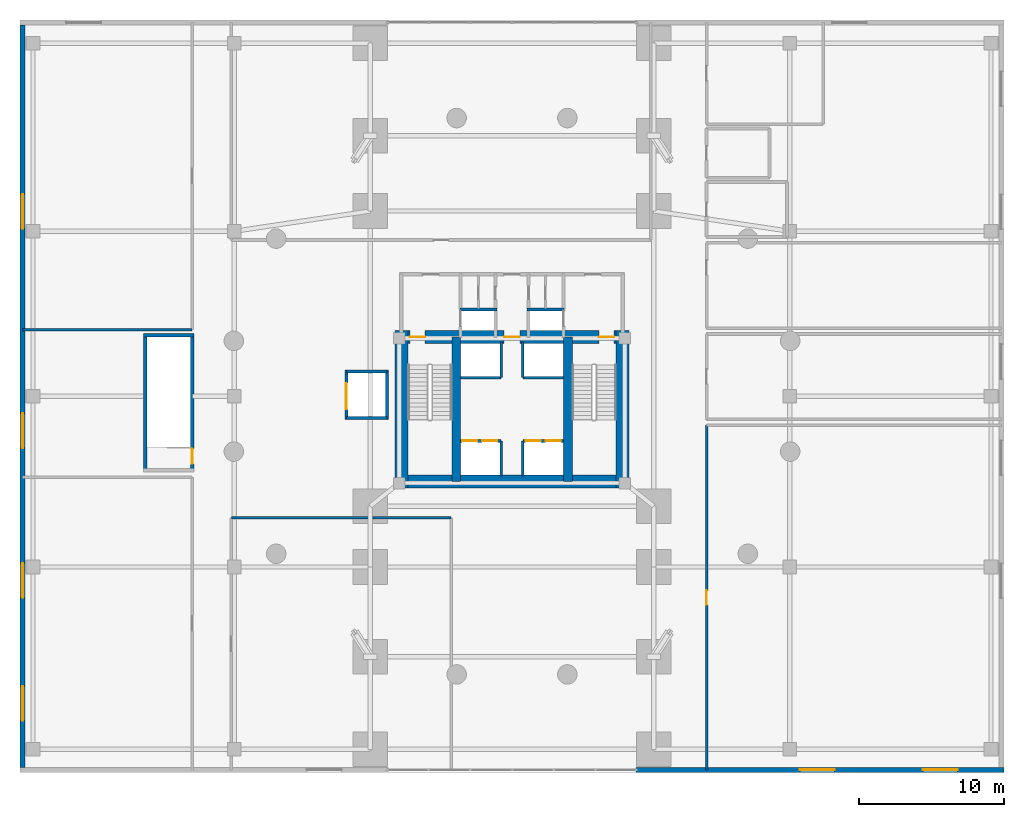
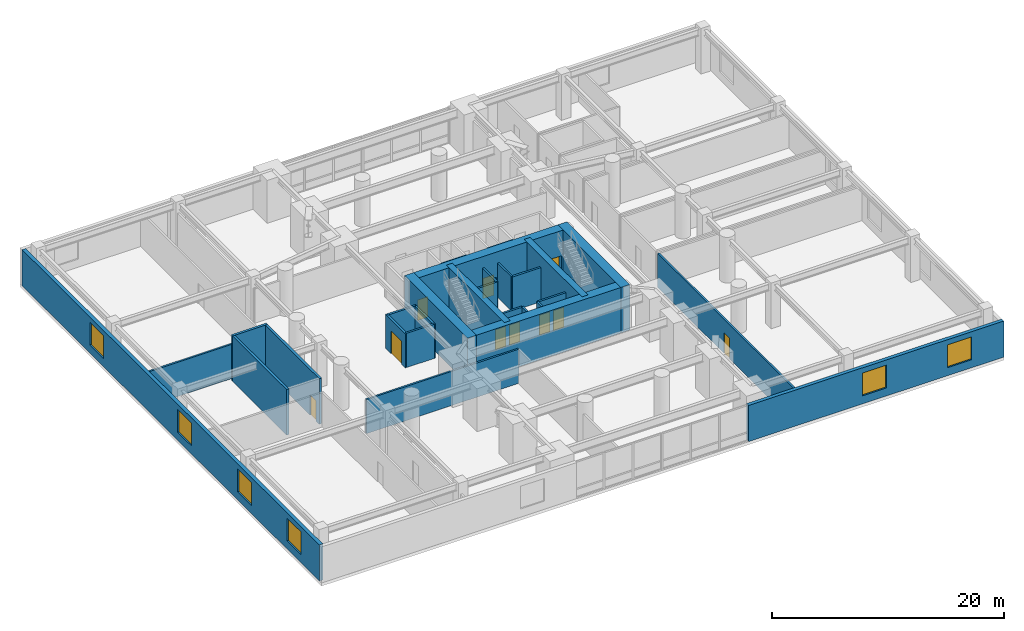
# One storey, part 14 of 17: 28 walls, 10 doors, 6 windows, 16 openings.
"""IFC4 building model written with IfcOpenShell, lengths in metres."""

from ifc_helpers import new_model, si_unit, direction, frame, frame_2d, origin, place, context, subcontext, project, spatial, rectangle, extrude, material, layer, layer_set, type_object, element, fill, save


model = new_model("IFC4")

# Units and contexts
model_context = context("Model", 3, precision=1e-05, world=origin(), true_north=direction((0.0, 1.0)))
body_context = subcontext(model_context, "Body", "Model", "MODEL_VIEW")
ifc_project = project(units=[si_unit("LENGTHUNIT", "METRE"), si_unit("AREAUNIT", "SQUARE_METRE"), si_unit("VOLUMEUNIT", "CUBIC_METRE"), si_unit("PLANEANGLEUNIT", "RADIAN"), si_unit("MASSUNIT", "GRAM", prefix="KILO"), si_unit("THERMODYNAMICTEMPERATUREUNIT", "KELVIN"), si_unit("POWERUNIT", "WATT")], contexts=[model_context])

# Site, building, storey
site_placement = place(None, origin())
site = spatial("IfcSite", under=ifc_project, at=site_placement, CompositionType="ELEMENT")
building_placement = place(site_placement, origin())
building = spatial("IfcBuilding", under=site, at=building_placement, Name="Ocrelia Relay Tower", CompositionType="ELEMENT")
storey_placement = place(building_placement, frame((0.0, 0.0, 25.199951171875)))
storey = spatial("IfcBuildingStorey", under=building, at=storey_placement, Name="L05", CompositionType="ELEMENT", Elevation=25.199951171875)

# Wall
ifc_material_1 = material(Name="Concrete C70/85", Category="concrete")
ifc_layer_1 = layer(ifc_material_1, 0.89990234375, Name="Concrete C70/85")
ifc_layer_set_1 = layer_set([ifc_layer_1], Name="Concrete C70/85")
wall_type_1 = type_object("IfcWallType", Name="CW-CORE-900", PredefinedType="SHEAR", material=ifc_layer_set_1)
wall_1_placement = place(storey_placement, frame((25.922119140625, 20.112060546875, 0.0), z_axis=(0.0, 0.0, 1.0), x_axis=(1.0, 0.0, 0.0)))
element("IfcWall", 1, at=wall_1_placement, inside=storey, type_object=wall_type_1, Name="L05 Core Shear Wall S", PredefinedType="SHEAR", context=body_context, shape_type="SweptSolid", body=[
    extrude(rectangle(XDim=16.165771484375, YDim=0.89990234375, at=frame_2d((8.0830078125, 0.0))), origin(), (0.0, 0.0, 1.0), 4.800048828125),
])

# Wall, openings, doors
wall_2_placement = place(storey_placement, frame((25.922119140625, 30.087890625, 0.0), z_axis=(0.0, 0.0, 1.0), x_axis=(1.0, 0.0, 0.0)))
wall_2 = element("IfcWall", 2, at=wall_2_placement, inside=storey, type_object=wall_type_1, Name="L05 Core Shear Wall N", PredefinedType="SHEAR", context=body_context, shape_type="SweptSolid", body=[
    extrude(rectangle(XDim=16.165771484375, YDim=0.89990234375, at=frame_2d((8.0830078125, 0.0))), origin(), (0.0, 0.0, 1.0), 4.800048828125),
])
opening_1_placement = place(wall_2_placement, frame((1.028076171875, 0.0, 0.0)))
opening_1 = element("IfcOpeningElement", 3, at=opening_1_placement, cuts=wall_2, Name="Opening D-FD90", PredefinedType="OPENING", context=body_context, shape_type="SweptSolid", body=[
    extrude(rectangle(XDim=1.050048828125, YDim=2.14990234375, at=frame_2d((0.52490234375, 1.074951171875))), frame((0.0, 0.4599609375, 0.0), z_axis=(0.0, -1.0, 0.0), x_axis=(1.0, 0.0, 0.0)), (0.0, 0.0, 1.0), 0.919921875),
])
opening_2_placement = place(wall_2_placement, frame((14.077880859375, 0.0, 0.0)))
opening_2 = element("IfcOpeningElement", 4, at=opening_2_placement, cuts=wall_2, Name="Opening D-FD90", PredefinedType="OPENING", context=body_context, shape_type="SweptSolid", body=[
    extrude(rectangle(XDim=1.050048828125, YDim=2.14990234375, at=frame_2d((0.52490234375, 1.074951171875))), frame((0.0, 0.4599609375, 0.0), z_axis=(0.0, -1.0, 0.0), x_axis=(1.0, 0.0, 0.0)), (0.0, 0.0, 1.0), 0.919921875),
])
opening_3_placement = place(wall_2_placement, frame((7.528076171875, 0.0, 0.0)))
opening_3 = element("IfcOpeningElement", 5, at=opening_3_placement, cuts=wall_2, Name="Opening D-FD60", PredefinedType="OPENING", context=body_context, shape_type="SweptSolid", body=[
    extrude(rectangle(XDim=1.10009765625, YDim=2.14990234375, at=frame_2d((0.550048828125, 1.074951171875))), frame((0.0, 0.4599609375, 0.0), z_axis=(0.0, -1.0, 0.0), x_axis=(1.0, 0.0, 0.0)), (0.0, 0.0, 1.0), 0.919921875),
])
ifc_material_2 = material(Name="Timber-core 60-min acoustic fire door", Category="wood")
door_type_1 = type_object("IfcDoorType", Name="DR-LOBBY-FD60-1100", OperationType="NOTDEFINED", PredefinedType="DOOR", material=ifc_material_2)
door_1_placement = place(opening_3_placement, origin())
door_1 = element("IfcDoor", 6, at=door_1_placement, inside=storey, type_object=door_type_1, Name="L05 Core Lift Lobby North Fire Door", OperationType="SINGLE_SWING_LEFT", OverallHeight=2.14990234375, OverallWidth=1.10009765625, PredefinedType="DOOR", context=body_context, shape_type="SweptSolid", body=[
    extrude(rectangle(XDim=1.10009765625, YDim=2.14990234375, at=frame_2d((0.550048828125, 1.074951171875))), frame((0.0, 0.02490234375, 0.0), z_axis=(0.0, -1.0, 0.0), x_axis=(1.0, 0.0, 0.0)), (0.0, 0.0, 1.0), 0.050048828125),
])
fill(opening_3, door_1)
ifc_material_3 = material(Name="Steel S355 90-min fire door", Category="steel")
door_type_2 = type_object("IfcDoorType", Name="DR-STAIR-FD90-1050", OperationType="NOTDEFINED", PredefinedType="DOOR", material=ifc_material_3)
door_2_placement = place(opening_1_placement, origin())
door_2 = element("IfcDoor", 7, at=door_2_placement, inside=storey, type_object=door_type_2, Name="L05 Stair ST1 Fire Door", OperationType="SINGLE_SWING_LEFT", OverallHeight=2.14990234375, OverallWidth=1.050048828125, PredefinedType="DOOR", context=body_context, shape_type="SweptSolid", body=[
    extrude(rectangle(XDim=1.050048828125, YDim=2.14990234375, at=frame_2d((0.52490234375, 1.074951171875))), frame((0.0, 0.02490234375, 0.0), z_axis=(0.0, -1.0, 0.0), x_axis=(1.0, 0.0, 0.0)), (0.0, 0.0, 1.0), 0.050048828125),
])
fill(opening_1, door_2)
door_3_placement = place(opening_2_placement, origin())
door_3 = element("IfcDoor", 8, at=door_3_placement, inside=storey, type_object=door_type_2, Name="L05 Stair ST2 Fire Door", OperationType="SINGLE_SWING_RIGHT", OverallHeight=2.14990234375, OverallWidth=1.050048828125, PredefinedType="DOOR", context=body_context, shape_type="SweptSolid", body=[
    extrude(rectangle(XDim=1.050048828125, YDim=2.14990234375, at=frame_2d((0.52490234375, 1.074951171875))), frame((0.0, 0.02490234375, 0.0), z_axis=(0.0, -1.0, 0.0), x_axis=(1.0, 0.0, 0.0)), (0.0, 0.0, 1.0), 0.050048828125),
])
fill(opening_2, door_3)

# Walls
for number, where, z_axis, x_axis, name in (
    (9, (26.3720703125, 19.662109375, 0.0), (0.0, 0.0, 1.0), (0.0, 1.0, 0.0), "L05 Core Shear Wall W"),
    (10, (41.637939453125, 19.662109375, 0.0), (0.0, 0.0, 1.0), (0.0, 1.0, 0.0), "L05 Core Shear Wall E"),
):
    element("IfcWall", number, at=place(storey_placement, frame(where, z_axis=z_axis, x_axis=x_axis)), inside=storey, type_object=wall_type_1, Name=name, PredefinedType="SHEAR", context=body_context, shape_type="SweptSolid", body=[
        extrude(rectangle(XDim=10.8759765625, YDim=0.89990234375, at=frame_2d((5.43798828125, 0.0))), origin(), (0.0, 0.0, 1.0), 4.800048828125),
    ])
for number, where, z_axis, x_axis, name in (
    (11, (30.137939453125, 20.112060546875, 0.0), (0.0, 0.0, 1.0), (0.0, 1.0, 0.0), "L05 Core Shear Wall SPW"),
    (12, (37.8720703125, 20.112060546875, 0.0), (0.0, 0.0, 1.0), (0.0, 1.0, 0.0), "L05 Core Shear Wall SPE"),
):
    element("IfcWall", number, at=place(storey_placement, frame(where, z_axis=z_axis, x_axis=x_axis)), inside=storey, type_object=wall_type_1, Name=name, PredefinedType="SHEAR", context=body_context, shape_type="SweptSolid", body=[
        extrude(rectangle(XDim=9.975830078125, YDim=0.60009765625, at=frame_2d((4.98779296875, 0.0))), origin(), (0.0, 0.0, 1.0), 4.800048828125),
    ])
ifc_material_4 = material(Name="Concrete C50/60", Category="concrete")
ifc_layer_2 = layer(ifc_material_4, 0.239990234375, Name="Concrete C50/60")
ifc_layer_set_2 = layer_set([ifc_layer_2], Name="Concrete C50/60")
wall_type_2 = type_object("IfcWallType", Name="CW-STAIR-240", PredefinedType="SHEAR", material=ifc_layer_set_2)
wall_3_placement = place(storey_placement, frame((8.531982421875, 30.2080078125, 0.0), z_axis=(0.0, 0.0, 1.0), x_axis=(1.0, 0.0, 0.0)))
element("IfcWall", 13, at=wall_3_placement, inside=storey, type_object=wall_type_2, Name="L05 Stair ST3 Structural Shaft N Wall", PredefinedType="SHEAR", context=body_context, shape_type="SweptSolid", body=[
    extrude(rectangle(XDim=3.49609375, YDim=0.239990234375, at=frame_2d((1.748046875, 0.0))), origin(), (0.0, 0.0, 1.0), 4.800048828125),
])
wall_4_placement = place(storey_placement, frame((8.652099609375, 20.77197265625, 0.0), z_axis=(0.0, 0.0, 1.0), x_axis=(0.0, 1.0, 0.0)))
element("IfcWall", 14, at=wall_4_placement, inside=storey, type_object=wall_type_2, Name="L05 Stair ST3 Structural Shaft W Wall", PredefinedType="SHEAR", context=body_context, shape_type="SweptSolid", body=[
    extrude(rectangle(XDim=9.555908203125, YDim=0.239990234375, at=frame_2d((4.77783203125, 0.0))), origin(), (0.0, 0.0, 1.0), 4.800048828125),
])

# Wall, opening, door
wall_5_placement = place(storey_placement, frame((11.907958984375, 20.77197265625, 0.0), z_axis=(0.0, 0.0, 1.0), x_axis=(0.0, 1.0, 0.0)))
wall_5 = element("IfcWall", 15, at=wall_5_placement, inside=storey, type_object=wall_type_2, Name="L05 Stair ST3 Structural Shaft E Wall", PredefinedType="SHEAR", context=body_context, shape_type="SweptSolid", body=[
    extrude(rectangle(XDim=9.555908203125, YDim=0.239990234375, at=frame_2d((4.77783203125, 0.0))), origin(), (0.0, 0.0, 1.0), 4.800048828125),
])
opening_4_placement = place(wall_5_placement, frame((0.550048828125, 0.0, 0.0)))
opening_4 = element("IfcOpeningElement", 16, at=opening_4_placement, cuts=wall_5, Name="Opening D-FD90", PredefinedType="OPENING", context=body_context, shape_type="SweptSolid", body=[
    extrude(rectangle(XDim=1.050048828125, YDim=2.14990234375, at=frame_2d((0.52490234375, 1.074951171875))), frame((0.0, 0.1298828125, 0.0), z_axis=(0.0, -1.0, 0.0), x_axis=(1.0, 0.0, 0.0)), (0.0, 0.0, 1.0), 0.260009765625),
])
door_4_placement = place(opening_4_placement, origin())
door_4 = element("IfcDoor", 17, at=door_4_placement, inside=storey, type_object=door_type_2, Name="L05 Stair ST3 Fire Door", OperationType="SINGLE_SWING_LEFT", OverallHeight=2.14990234375, OverallWidth=1.050048828125, PredefinedType="DOOR", context=body_context, shape_type="SweptSolid", body=[
    extrude(rectangle(XDim=1.050048828125, YDim=2.14990234375, at=frame_2d((0.52490234375, 1.074951171875))), frame((0.0, 0.02490234375, 0.0), z_axis=(0.0, -1.0, 0.0), x_axis=(1.0, 0.0, 0.0)), (0.0, 0.0, 1.0), 0.050048828125),
])
fill(opening_4, door_4)

# Walls
ifc_material_5 = material(Name="Gypsum Fireboard Partition EI60", Category="gypsum")
ifc_layer_3 = layer(ifc_material_5, 0.179931640625, Name="Gypsum Fireboard Partition EI60")
ifc_layer_set_3 = layer_set([ifc_layer_3], Name="Gypsum Fireboard Partition EI60")
wall_type_3 = type_object("IfcWallType", Name="W-CORR-EI60-180", PredefinedType="PARTITIONING", material=ifc_layer_set_3)
wall_6_placement = place(storey_placement, frame((0.179931640625, 30.60009765625, 0.0), z_axis=(0.0, 0.0, 1.0), x_axis=(1.0, 0.0, 0.0)))
element("IfcWall", 18, at=wall_6_placement, inside=storey, type_object=wall_type_3, Name="L05 Customer Commissioning Laboratory S Partition", PredefinedType="PARTITIONING", context=body_context, shape_type="SweptSolid", body=[
    extrude(rectangle(XDim=11.719970703125, YDim=0.179931640625, at=frame_2d((5.85986328125, 0.0))), origin(), (0.0, 0.0, 1.0), 3.60009765625),
])
wall_7_placement = place(storey_placement, frame((29.800048828125, 17.60009765625, 0.0), z_axis=(0.0, 0.0, 1.0), x_axis=(-1.0, 0.0, 0.0)))
element("IfcWall", 19, at=wall_7_placement, inside=storey, type_object=wall_type_3, Name="L05 Client Handover Conference Room N Partition", PredefinedType="PARTITIONING", context=body_context, shape_type="SweptSolid", body=[
    extrude(rectangle(XDim=15.199951171875, YDim=0.179931640625, at=frame_2d((7.60009765625, 0.0))), origin(), (0.0, 0.0, 1.0), 3.60009765625),
])

# Wall, opening, door
wall_8_placement = place(storey_placement, frame((47.449951171875, 24.0, 0.0), z_axis=(0.0, 0.0, 1.0), x_axis=(0.0, -1.0, 0.0)))
wall_8 = element("IfcWall", 20, at=wall_8_placement, inside=storey, type_object=wall_type_3, Name="L05 Colocation Operations Support Office W Partition", PredefinedType="PARTITIONING", context=body_context, shape_type="SweptSolid", body=[
    extrude(rectangle(XDim=23.820068359375, YDim=0.179931640625, at=frame_2d((11.91015625, 0.0))), origin(), (0.0, 0.0, 1.0), 3.60009765625),
])
opening_5_placement = place(wall_8_placement, frame((11.409912109375, 0.0, 0.0)))
opening_5 = element("IfcOpeningElement", 21, at=opening_5_placement, cuts=wall_8, Name="Opening D-RM100", PredefinedType="OPENING", context=body_context, shape_type="SweptSolid", body=[
    extrude(rectangle(XDim=1.0, YDim=2.14990234375, at=frame_2d((0.5, 1.074951171875))), frame((0.0, 0.10009765625, 0.0), z_axis=(0.0, -1.0, 0.0), x_axis=(1.0, 0.0, 0.0)), (0.0, 0.0, 1.0), 0.199951171875),
])
ifc_material_6 = material(Name="Acoustic oak veneer fire door", Category="wood")
door_type_3 = type_object("IfcDoorType", Name="DR-ROOM-FD60-1000", OperationType="NOTDEFINED", PredefinedType="DOOR", material=ifc_material_6)
door_5_placement = place(opening_5_placement, origin())
door_5 = element("IfcDoor", 22, at=door_5_placement, inside=storey, type_object=door_type_3, Name="L05 Colocation Operations Support Office Door", OperationType="SINGLE_SWING_RIGHT", OverallHeight=2.14990234375, OverallWidth=1.0, PredefinedType="DOOR", context=body_context, shape_type="SweptSolid", body=[
    extrude(rectangle(XDim=1.0, YDim=2.14990234375, at=frame_2d((0.5, 1.074951171875))), frame((0.0, 0.02490234375, 0.0), z_axis=(0.0, -1.0, 0.0), x_axis=(1.0, 0.0, 0.0)), (0.0, 0.0, 1.0), 0.050048828125),
])
fill(opening_5, door_5)

# Wall, openings, windows
ifc_material_7 = material(Name="Precast concrete C40/50 with oxide terracotta", Category="masonry")
ifc_layer_4 = layer(ifc_material_7, 0.35009765625, Name="Precast concrete C40/50 with oxide terracotta")
ifc_layer_set_4 = layer_set([ifc_layer_4], Name="Precast concrete C40/50 with oxide terracotta")
wall_type_4 = type_object("IfcWallType", Name="W-EXT-POD-350", PredefinedType="SOLIDWALL", material=ifc_layer_set_4)
wall_9_placement = place(storey_placement, frame((0.179931640625, 0.360107421875, 0.0), z_axis=(0.0, 0.0, 1.0), x_axis=(0.0, 1.0, 0.0)))
wall_9 = element("IfcWall", 23, at=wall_9_placement, inside=storey, type_object=wall_type_4, Name="L05 Oxide Terracotta Podium Wall WW", PredefinedType="SOLIDWALL", context=body_context, shape_type="SweptSolid", body=[
    extrude(rectangle(XDim=51.27978515625, YDim=0.35009765625, at=frame_2d((25.639892578125, 0.0))), origin(), (0.0, 0.0, 1.0), 3.800048828125),
])
opening_6_placement = place(wall_9_placement, frame((3.199951171875, 0.0, 0.85009765625)))
opening_6 = element("IfcOpeningElement", 24, at=opening_6_placement, cuts=wall_9, Name="Opening W-01", PredefinedType="OPENING", context=body_context, shape_type="SweptSolid", body=[
    extrude(rectangle(XDim=2.39990234375, YDim=2.39990234375, at=frame_2d((1.199951171875, 1.199951171875))), frame((0.0, 0.18505859375, 0.0), z_axis=(0.0, -1.0, 0.0), x_axis=(1.0, 0.0, 0.0)), (0.0, 0.0, 1.0), 0.3701171875),
])
opening_7_placement = place(wall_9_placement, frame((11.699951171875, 0.0, 0.85009765625)))
opening_7 = element("IfcOpeningElement", 25, at=opening_7_placement, cuts=wall_9, Name="Opening W-01", PredefinedType="OPENING", context=body_context, shape_type="SweptSolid", body=[
    extrude(rectangle(XDim=2.39990234375, YDim=2.39990234375, at=frame_2d((1.199951171875, 1.199951171875))), frame((0.0, 0.18505859375, 0.0), z_axis=(0.0, -1.0, 0.0), x_axis=(1.0, 0.0, 0.0)), (0.0, 0.0, 1.0), 0.3701171875),
])
opening_8_placement = place(wall_9_placement, frame((22.050048828125, 0.0, 0.85009765625)))
opening_8 = element("IfcOpeningElement", 26, at=opening_8_placement, cuts=wall_9, Name="Opening W-01", PredefinedType="OPENING", context=body_context, shape_type="SweptSolid", body=[
    extrude(rectangle(XDim=2.39990234375, YDim=2.39990234375, at=frame_2d((1.199951171875, 1.199951171875))), frame((0.0, 0.18505859375, 0.0), z_axis=(0.0, -1.0, 0.0), x_axis=(1.0, 0.0, 0.0)), (0.0, 0.0, 1.0), 0.3701171875),
])
opening_9_placement = place(wall_9_placement, frame((37.199951171875, 0.0, 0.85009765625)))
opening_9 = element("IfcOpeningElement", 27, at=opening_9_placement, cuts=wall_9, Name="Opening W-01", PredefinedType="OPENING", context=body_context, shape_type="SweptSolid", body=[
    extrude(rectangle(XDim=2.39990234375, YDim=2.39990234375, at=frame_2d((1.199951171875, 1.199951171875))), frame((0.0, 0.18505859375, 0.0), z_axis=(0.0, -1.0, 0.0), x_axis=(1.0, 0.0, 0.0)), (0.0, 0.0, 1.0), 0.3701171875),
])
ifc_material_8 = material(Name="Clear double-glazed low-E glass", Category="glass")
window_type = type_object("IfcWindowType", Name="WIN-POD-2400x2600", PartitioningType="SINGLE_PANEL", PredefinedType="WINDOW", material=ifc_material_8)
window_1_placement = place(opening_6_placement, origin())
window_1 = element("IfcWindow", 28, at=window_1_placement, inside=storey, type_object=window_type, Name="L05 Podium Punched Window WW-1", OverallHeight=2.39990234375, OverallWidth=2.39990234375, PartitioningType="SINGLE_PANEL", PredefinedType="WINDOW", context=body_context, shape_type="SweptSolid", body=[
    extrude(rectangle(XDim=2.39990234375, YDim=2.39990234375, at=frame_2d((1.199951171875, 1.199951171875))), frame((0.0, 0.030029296875, 0.0), z_axis=(0.0, -1.0, 0.0), x_axis=(1.0, 0.0, 0.0)), (0.0, 0.0, 1.0), 0.06005859375),
])
fill(opening_6, window_1)
window_2_placement = place(opening_7_placement, origin())
window_2 = element("IfcWindow", 29, at=window_2_placement, inside=storey, type_object=window_type, Name="L05 Podium Punched Window WW-2", OverallHeight=2.39990234375, OverallWidth=2.39990234375, PartitioningType="SINGLE_PANEL", PredefinedType="WINDOW", context=body_context, shape_type="SweptSolid", body=[
    extrude(rectangle(XDim=2.39990234375, YDim=2.39990234375, at=frame_2d((1.199951171875, 1.199951171875))), frame((0.0, 0.030029296875, 0.0), z_axis=(0.0, -1.0, 0.0), x_axis=(1.0, 0.0, 0.0)), (0.0, 0.0, 1.0), 0.06005859375),
])
fill(opening_7, window_2)
window_3_placement = place(opening_8_placement, origin())
window_3 = element("IfcWindow", 30, at=window_3_placement, inside=storey, type_object=window_type, Name="L05 Podium Punched Window WW-3", OverallHeight=2.39990234375, OverallWidth=2.39990234375, PartitioningType="SINGLE_PANEL", PredefinedType="WINDOW", context=body_context, shape_type="SweptSolid", body=[
    extrude(rectangle(XDim=2.39990234375, YDim=2.39990234375, at=frame_2d((1.199951171875, 1.199951171875))), frame((0.0, 0.030029296875, 0.0), z_axis=(0.0, -1.0, 0.0), x_axis=(1.0, 0.0, 0.0)), (0.0, 0.0, 1.0), 0.06005859375),
])
fill(opening_8, window_3)
window_4_placement = place(opening_9_placement, origin())
window_4 = element("IfcWindow", 31, at=window_4_placement, inside=storey, type_object=window_type, Name="L05 Podium Punched Window WW-5", OverallHeight=2.39990234375, OverallWidth=2.39990234375, PartitioningType="SINGLE_PANEL", PredefinedType="WINDOW", context=body_context, shape_type="SweptSolid", body=[
    extrude(rectangle(XDim=2.39990234375, YDim=2.39990234375, at=frame_2d((1.199951171875, 1.199951171875))), frame((0.0, 0.030029296875, 0.0), z_axis=(0.0, -1.0, 0.0), x_axis=(1.0, 0.0, 0.0)), (0.0, 0.0, 1.0), 0.06005859375),
])
fill(opening_9, window_4)

wall_10_placement = place(storey_placement, frame((67.989990234375, 0.179931640625, 0.0), z_axis=(0.0, 0.0, 1.0), x_axis=(-1.0, 0.0, 0.0)))
wall_10 = element("IfcWall", 32, at=wall_10_placement, inside=storey, type_object=wall_type_4, Name="L05 Oxide Terracotta Podium Wall ES", PredefinedType="SOLIDWALL", context=body_context, shape_type="SweptSolid", body=[
    extrude(rectangle(XDim=25.419921875, YDim=0.35009765625, at=frame_2d((12.7099609375, 0.0))), origin(), (0.0, 0.0, 1.0), 3.800048828125),
])
opening_10_placement = place(wall_10_placement, frame((3.199951171875, 0.0, 0.85009765625)))
opening_10 = element("IfcOpeningElement", 33, at=opening_10_placement, cuts=wall_10, Name="Opening W-01", PredefinedType="OPENING", context=body_context, shape_type="SweptSolid", body=[
    extrude(rectangle(XDim=2.39990234375, YDim=2.39990234375, at=frame_2d((1.199951171875, 1.199951171875))), frame((0.0, 0.18505859375, 0.0), z_axis=(0.0, -1.0, 0.0), x_axis=(1.0, 0.0, 0.0)), (0.0, 0.0, 1.0), 0.3701171875),
])
opening_11_placement = place(wall_10_placement, frame((11.699951171875, 0.0, 0.85009765625)))
opening_11 = element("IfcOpeningElement", 34, at=opening_11_placement, cuts=wall_10, Name="Opening W-01", PredefinedType="OPENING", context=body_context, shape_type="SweptSolid", body=[
    extrude(rectangle(XDim=2.39990234375, YDim=2.39990234375, at=frame_2d((1.199951171875, 1.199951171875))), frame((0.0, 0.18505859375, 0.0), z_axis=(0.0, -1.0, 0.0), x_axis=(1.0, 0.0, 0.0)), (0.0, 0.0, 1.0), 0.3701171875),
])
window_5_placement = place(opening_10_placement, origin())
window_5 = element("IfcWindow", 35, at=window_5_placement, inside=storey, type_object=window_type, Name="L05 Podium Punched Window ES-1", OverallHeight=2.39990234375, OverallWidth=2.39990234375, PartitioningType="SINGLE_PANEL", PredefinedType="WINDOW", context=body_context, shape_type="SweptSolid", body=[
    extrude(rectangle(XDim=2.39990234375, YDim=2.39990234375, at=frame_2d((1.199951171875, 1.199951171875))), frame((0.0, 0.030029296875, 0.0), z_axis=(0.0, -1.0, 0.0), x_axis=(1.0, 0.0, 0.0)), (0.0, 0.0, 1.0), 0.06005859375),
])
fill(opening_10, window_5)
window_6_placement = place(opening_11_placement, origin())
window_6 = element("IfcWindow", 36, at=window_6_placement, inside=storey, type_object=window_type, Name="L05 Podium Punched Window ES-2", OverallHeight=2.39990234375, OverallWidth=2.39990234375, PartitioningType="SINGLE_PANEL", PredefinedType="WINDOW", context=body_context, shape_type="SweptSolid", body=[
    extrude(rectangle(XDim=2.39990234375, YDim=2.39990234375, at=frame_2d((1.199951171875, 1.199951171875))), frame((0.0, 0.030029296875, 0.0), z_axis=(0.0, -1.0, 0.0), x_axis=(1.0, 0.0, 0.0)), (0.0, 0.0, 1.0), 0.06005859375),
])
fill(opening_11, window_6)

# Walls
ifc_layer_5 = layer(ifc_material_4, 0.199951171875, Name="Concrete C50/60")
ifc_layer_set_5 = layer_set([ifc_layer_5], Name="Concrete C50/60")
wall_type_5 = type_object("IfcWallType", Name="W-SHAFT-EI120-200", PredefinedType="SOLIDWALL", material=ifc_layer_set_5)
for number, where, z_axis, x_axis, name in (
    (37, (30.39990234375, 32.0, 0.0), (0.0, 0.0, 1.0), (1.0, 0.0, 0.0), "L05 FFL1 Hoistway North Wall"),
    (38, (35.050048828125, 32.0, 0.0), (0.0, 0.0, 1.0), (1.0, 0.0, 0.0), "L05 FFL2 Hoistway North Wall"),
):
    element("IfcWall", number, at=place(storey_placement, frame(where, z_axis=z_axis, x_axis=x_axis)), inside=storey, type_object=wall_type_5, Name=name, PredefinedType="SOLIDWALL", context=body_context, shape_type="SweptSolid", body=[
        extrude(rectangle(XDim=2.550048828125, YDim=0.199951171875, at=frame_2d((1.27490234375, 0.0))), origin(), (0.0, 0.0, 1.0), 3.60009765625),
    ])

# Wall, openings, doors
wall_11_placement = place(storey_placement, frame((30.43994140625, 22.919921875, 0.0), z_axis=(0.0, 0.0, 1.0), x_axis=(1.0, 0.0, 0.0)))
wall_11 = element("IfcWall", 39, at=wall_11_placement, inside=storey, type_object=wall_type_5, Name="L05 Low-Rise Lift Hoistway Wall W", PredefinedType="SOLIDWALL", context=body_context, shape_type="SweptSolid", body=[
    extrude(rectangle(XDim=2.81005859375, YDim=0.199951171875, at=frame_2d((1.405029296875, 0.0))), origin(), (0.0, 0.0, 1.0), 3.60009765625),
])
opening_12_placement = place(wall_11_placement, frame((0.1201171875, 0.0, 0.0)))
opening_12 = element("IfcOpeningElement", 40, at=opening_12_placement, cuts=wall_11, Name="Opening LD-PL1", PredefinedType="OPENING", context=body_context, shape_type="SweptSolid", body=[
    extrude(rectangle(XDim=1.050048828125, YDim=2.10009765625, at=frame_2d((0.52490234375, 1.050048828125))), frame((0.0, 0.10986328125, 0.0), z_axis=(0.0, -1.0, 0.0), x_axis=(1.0, 0.0, 0.0)), (0.0, 0.0, 1.0), 0.219970703125),
])
opening_13_placement = place(wall_11_placement, frame((1.5, 0.0, 0.0)))
opening_13 = element("IfcOpeningElement", 41, at=opening_13_placement, cuts=wall_11, Name="Opening LD-PL2", PredefinedType="OPENING", context=body_context, shape_type="SweptSolid", body=[
    extrude(rectangle(XDim=1.050048828125, YDim=2.10009765625, at=frame_2d((0.52490234375, 1.050048828125))), frame((0.0, 0.10986328125, 0.0), z_axis=(0.0, -1.0, 0.0), x_axis=(1.0, 0.0, 0.0)), (0.0, 0.0, 1.0), 0.219970703125),
])
ifc_material_9 = material(Name="Brushed stainless steel S355 lift landing door", Category="steel")
door_type_4 = type_object("IfcDoorType", Name="DR-LIFT-LAND-1050", OperationType="DOUBLE_DOOR_SLIDING", PredefinedType="USERDEFINED", material=ifc_material_9)
door_6_placement = place(opening_12_placement, origin())
door_6 = element("IfcDoor", 42, at=door_6_placement, inside=storey, type_object=door_type_4, Name="L05 Passenger Lift PL1 Sliding Landing Door", ObjectType="LANDING DOOR", OperationType="DOUBLE_DOOR_SLIDING", OverallHeight=2.10009765625, OverallWidth=1.050048828125, PredefinedType="USERDEFINED", context=body_context, shape_type="SweptSolid", body=[
    extrude(rectangle(XDim=1.050048828125, YDim=2.10009765625, at=frame_2d((0.52490234375, 1.050048828125))), frame((0.0, 0.02490234375, 0.0), z_axis=(0.0, -1.0, 0.0), x_axis=(1.0, 0.0, 0.0)), (0.0, 0.0, 1.0), 0.050048828125),
])
fill(opening_12, door_6)
door_7_placement = place(opening_13_placement, origin())
door_7 = element("IfcDoor", 43, at=door_7_placement, inside=storey, type_object=door_type_4, Name="L05 Passenger Lift PL2 Sliding Landing Door", ObjectType="LANDING DOOR", OperationType="DOUBLE_DOOR_SLIDING", OverallHeight=2.10009765625, OverallWidth=1.050048828125, PredefinedType="USERDEFINED", context=body_context, shape_type="SweptSolid", body=[
    extrude(rectangle(XDim=1.050048828125, YDim=2.10009765625, at=frame_2d((0.52490234375, 1.050048828125))), frame((0.0, 0.02490234375, 0.0), z_axis=(0.0, -1.0, 0.0), x_axis=(1.0, 0.0, 0.0)), (0.0, 0.0, 1.0), 0.050048828125),
])
fill(opening_13, door_7)

# Wall
wall_12_placement = place(storey_placement, frame((33.25, 20.5, 0.0), z_axis=(0.0, 0.0, 1.0), x_axis=(0.0, 1.0, 0.0)))
element("IfcWall", 44, at=wall_12_placement, inside=storey, type_object=wall_type_5, Name="L05 Low-Rise Lift Throat Wall W", PredefinedType="SOLIDWALL", context=body_context, shape_type="SweptSolid", body=[
    extrude(rectangle(XDim=2.419921875, YDim=0.179931640625, at=frame_2d((1.2099609375, 0.0))), origin(), (0.0, 0.0, 1.0), 3.60009765625),
])

# Wall, openings, doors
wall_13_placement = place(storey_placement, frame((34.75, 22.919921875, 0.0), z_axis=(0.0, 0.0, 1.0), x_axis=(1.0, 0.0, 0.0)))
wall_13 = element("IfcWall", 45, at=wall_13_placement, inside=storey, type_object=wall_type_5, Name="L05 Low-Rise Lift Hoistway Wall E", PredefinedType="SOLIDWALL", context=body_context, shape_type="SweptSolid", body=[
    extrude(rectangle(XDim=2.81005859375, YDim=0.199951171875, at=frame_2d((1.405029296875, 0.0))), origin(), (0.0, 0.0, 1.0), 3.60009765625),
])
opening_14_placement = place(wall_13_placement, frame((0.18994140625, 0.0, 0.0)))
opening_14 = element("IfcOpeningElement", 46, at=opening_14_placement, cuts=wall_13, Name="Opening LD-PL3", PredefinedType="OPENING", context=body_context, shape_type="SweptSolid", body=[
    extrude(rectangle(XDim=1.050048828125, YDim=2.10009765625, at=frame_2d((0.52490234375, 1.050048828125))), frame((0.0, 0.10986328125, 0.0), z_axis=(0.0, -1.0, 0.0), x_axis=(1.0, 0.0, 0.0)), (0.0, 0.0, 1.0), 0.219970703125),
])
opening_15_placement = place(wall_13_placement, frame((1.570068359375, 0.0, 0.0)))
opening_15 = element("IfcOpeningElement", 47, at=opening_15_placement, cuts=wall_13, Name="Opening LD-PL4", PredefinedType="OPENING", context=body_context, shape_type="SweptSolid", body=[
    extrude(rectangle(XDim=1.050048828125, YDim=2.10009765625, at=frame_2d((0.52490234375, 1.050048828125))), frame((0.0, 0.10986328125, 0.0), z_axis=(0.0, -1.0, 0.0), x_axis=(1.0, 0.0, 0.0)), (0.0, 0.0, 1.0), 0.219970703125),
])
door_8_placement = place(opening_14_placement, origin())
door_8 = element("IfcDoor", 48, at=door_8_placement, inside=storey, type_object=door_type_4, Name="L05 Passenger Lift PL3 Sliding Landing Door", ObjectType="LANDING DOOR", OperationType="DOUBLE_DOOR_SLIDING", OverallHeight=2.10009765625, OverallWidth=1.050048828125, PredefinedType="USERDEFINED", context=body_context, shape_type="SweptSolid", body=[
    extrude(rectangle(XDim=1.050048828125, YDim=2.10009765625, at=frame_2d((0.52490234375, 1.050048828125))), frame((0.0, 0.02490234375, 0.0), z_axis=(0.0, -1.0, 0.0), x_axis=(1.0, 0.0, 0.0)), (0.0, 0.0, 1.0), 0.050048828125),
])
fill(opening_14, door_8)
door_9_placement = place(opening_15_placement, origin())
door_9 = element("IfcDoor", 49, at=door_9_placement, inside=storey, type_object=door_type_4, Name="L05 Passenger Lift PL4 Sliding Landing Door", ObjectType="LANDING DOOR", OperationType="DOUBLE_DOOR_SLIDING", OverallHeight=2.10009765625, OverallWidth=1.050048828125, PredefinedType="USERDEFINED", context=body_context, shape_type="SweptSolid", body=[
    extrude(rectangle(XDim=1.050048828125, YDim=2.10009765625, at=frame_2d((0.52490234375, 1.050048828125))), frame((0.0, 0.02490234375, 0.0), z_axis=(0.0, -1.0, 0.0), x_axis=(1.0, 0.0, 0.0)), (0.0, 0.0, 1.0), 0.050048828125),
])
fill(opening_15, door_9)

# Walls
wall_14_placement = place(storey_placement, frame((34.75, 20.5, 0.0), z_axis=(0.0, 0.0, 1.0), x_axis=(0.0, 1.0, 0.0)))
element("IfcWall", 50, at=wall_14_placement, inside=storey, type_object=wall_type_5, Name="L05 Low-Rise Lift Throat Wall E", PredefinedType="SOLIDWALL", context=body_context, shape_type="SweptSolid", body=[
    extrude(rectangle(XDim=2.419921875, YDim=0.179931640625, at=frame_2d((1.2099609375, 0.0))), origin(), (0.0, 0.0, 1.0), 3.60009765625),
])
wall_15_placement = place(storey_placement, frame((30.43994140625, 27.280029296875, 0.0), z_axis=(0.0, 0.0, 1.0), x_axis=(1.0, 0.0, 0.0)))
element("IfcWall", 51, at=wall_15_placement, inside=storey, type_object=wall_type_5, Name="L05 High-Rise Lift Hoistway Wall W", PredefinedType="SOLIDWALL", context=body_context, shape_type="SweptSolid", body=[
    extrude(rectangle(XDim=2.81005859375, YDim=0.199951171875, at=frame_2d((1.405029296875, 0.0))), origin(), (0.0, 0.0, 1.0), 3.60009765625),
])
wall_16_placement = place(storey_placement, frame((33.25, 27.280029296875, 0.0), z_axis=(0.0, 0.0, 1.0), x_axis=(0.0, 1.0, 0.0)))
element("IfcWall", 52, at=wall_16_placement, inside=storey, type_object=wall_type_5, Name="L05 High-Rise Lift Throat Wall W", PredefinedType="SOLIDWALL", context=body_context, shape_type="SweptSolid", body=[
    extrude(rectangle(XDim=2.469970703125, YDim=0.179931640625, at=frame_2d((1.23486328125, 0.0))), origin(), (0.0, 0.0, 1.0), 3.60009765625),
])
wall_17_placement = place(storey_placement, frame((34.75, 27.280029296875, 0.0), z_axis=(0.0, 0.0, 1.0), x_axis=(1.0, 0.0, 0.0)))
element("IfcWall", 53, at=wall_17_placement, inside=storey, type_object=wall_type_5, Name="L05 High-Rise Lift Hoistway Wall E", PredefinedType="SOLIDWALL", context=body_context, shape_type="SweptSolid", body=[
    extrude(rectangle(XDim=2.81005859375, YDim=0.199951171875, at=frame_2d((1.405029296875, 0.0))), origin(), (0.0, 0.0, 1.0), 3.60009765625),
])
wall_18_placement = place(storey_placement, frame((34.75, 27.280029296875, 0.0), z_axis=(0.0, 0.0, 1.0), x_axis=(0.0, 1.0, 0.0)))
element("IfcWall", 54, at=wall_18_placement, inside=storey, type_object=wall_type_5, Name="L05 High-Rise Lift Throat Wall E", PredefinedType="SOLIDWALL", context=body_context, shape_type="SweptSolid", body=[
    extrude(rectangle(XDim=2.469970703125, YDim=0.179931640625, at=frame_2d((1.23486328125, 0.0))), origin(), (0.0, 0.0, 1.0), 3.60009765625),
])

# Wall, opening, door
wall_19_placement = place(storey_placement, frame((22.550048828125, 24.39990234375, 0.0), z_axis=(0.0, 0.0, 1.0), x_axis=(0.0, 1.0, 0.0)))
wall_19 = element("IfcWall", 55, at=wall_19_placement, inside=storey, type_object=wall_type_5, Name="L05 Goods Lift Shaft West Wall", PredefinedType="SOLIDWALL", context=body_context, shape_type="SweptSolid", body=[
    extrude(rectangle(XDim=3.400146484375, YDim=0.199951171875, at=frame_2d((1.7001953125, 0.0))), origin(), (0.0, 0.0, 1.0), 3.60009765625),
])
opening_16_placement = place(wall_19_placement, frame((0.699951171875, 0.0, 0.0)))
opening_16 = element("IfcOpeningElement", 56, at=opening_16_placement, cuts=wall_19, Name="Opening LD-GL1", PredefinedType="OPENING", context=body_context, shape_type="SweptSolid", body=[
    extrude(rectangle(XDim=1.800048828125, YDim=2.39990234375, at=frame_2d((0.89990234375, 1.199951171875))), frame((0.0, 0.10986328125, 0.0), z_axis=(0.0, -1.0, 0.0), x_axis=(1.0, 0.0, 0.0)), (0.0, 0.0, 1.0), 0.219970703125),
])
ifc_material_10 = material(Name="Heavy-duty stainless steel S355 goods landing door", Category="steel")
door_type_5 = type_object("IfcDoorType", Name="DR-GOODS-LAND-1800", OperationType="DOUBLE_DOOR_SLIDING", PredefinedType="USERDEFINED", material=ifc_material_10)
door_10_placement = place(opening_16_placement, origin())
door_10 = element("IfcDoor", 57, at=door_10_placement, inside=storey, type_object=door_type_5, Name="L05 Goods Lift GL1 Sliding Landing Door", ObjectType="LANDING DOOR", OperationType="DOUBLE_DOOR_SLIDING", OverallHeight=2.39990234375, OverallWidth=1.800048828125, PredefinedType="USERDEFINED", context=body_context, shape_type="SweptSolid", body=[
    extrude(rectangle(XDim=1.800048828125, YDim=2.39990234375, at=frame_2d((0.89990234375, 1.199951171875))), frame((0.0, 0.02490234375, 0.0), z_axis=(0.0, -1.0, 0.0), x_axis=(1.0, 0.0, 0.0)), (0.0, 0.0, 1.0), 0.050048828125),
])
fill(opening_16, door_10)

# Walls
wall_20_placement = place(storey_placement, frame((25.35009765625, 24.39990234375, 0.0), z_axis=(0.0, 0.0, 1.0), x_axis=(0.0, 1.0, 0.0)))
element("IfcWall", 58, at=wall_20_placement, inside=storey, type_object=wall_type_5, Name="L05 Goods Lift Shaft E Wall", PredefinedType="SOLIDWALL", context=body_context, shape_type="SweptSolid", body=[
    extrude(rectangle(XDim=3.400146484375, YDim=0.199951171875, at=frame_2d((1.7001953125, 0.0))), origin(), (0.0, 0.0, 1.0), 3.60009765625),
])
for number, where, z_axis, x_axis, name in (
    (59, (22.550048828125, 24.5, 0.0), (0.0, 0.0, 1.0), (1.0, 0.0, 0.0), "L05 Goods Lift Shaft S Wall"),
    (60, (22.550048828125, 27.699951171875, 0.0), (0.0, 0.0, 1.0), (1.0, 0.0, 0.0), "L05 Goods Lift Shaft N Wall"),
):
    element("IfcWall", number, at=place(storey_placement, frame(where, z_axis=z_axis, x_axis=x_axis)), inside=storey, type_object=wall_type_5, Name=name, PredefinedType="SOLIDWALL", context=body_context, shape_type="SweptSolid", body=[
        extrude(rectangle(XDim=2.800048828125, YDim=0.199951171875, at=frame_2d((1.39990234375, 0.0))), origin(), (0.0, 0.0, 1.0), 3.60009765625),
    ])

save(model, "model.ifc")
